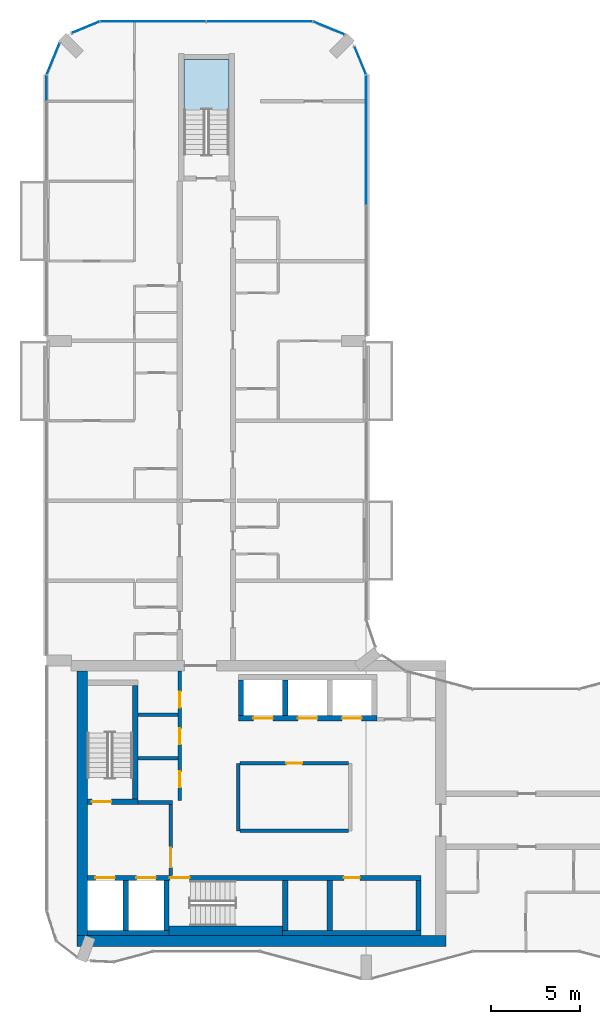
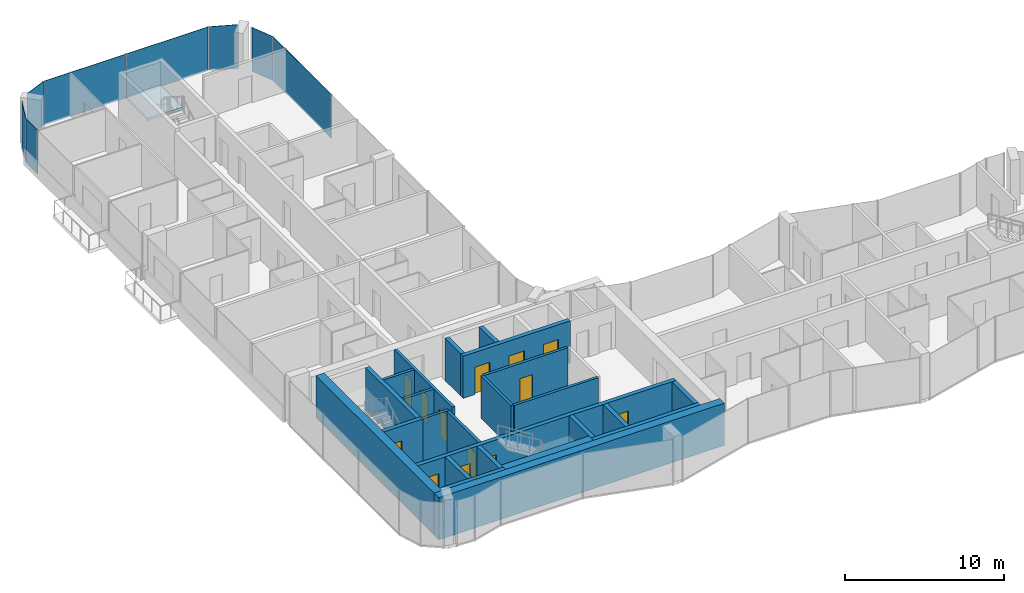
# One storey, part 9 of 15: 24 walls, 13 doors, 8 plates, 1 slab, 13 openings, 8 elements without a shape of their own.
"""IFC4 building model written with IfcOpenShell, lengths in metres."""

import ifcopenshell
import ifcopenshell.guid

model = None  # the IFC model being written
_history = None  # IfcOwnerHistory: only IFC2X3 demands one
_inside = {}  # id of a spatial element -> (the spatial element, [elements in it])
_under = {}  # id of a project, library or spatial element -> (it, [spatial elements below it])
_declared = {}  # id of a project -> (the project, [libraries it declares])
_typed = {}  # id of a type object -> (the type object, [elements of that type])
_made_of = {}  # id of a material, layer set ... -> (it, [elements and type objects made of it])


def new_model(schema):
    """Start an empty IFC model of exactly this schema.

    Asked for "IFC4X3", IfcOpenShell would pick the latest addendum, in which some entities
    have other attributes; the version numbers below select the first issue.
    IFC2X3 requires an IfcOwnerHistory on every rooted entity: one is made here for all.
    """
    global model, _history
    if schema == "IFC4X3":
        model = ifcopenshell.file(schema_version=(4, 3, 0, 0))
    else:
        model = ifcopenshell.file(schema=schema)
    _inside.clear()
    _under.clear()
    _declared.clear()
    _typed.clear()
    _made_of.clear()
    _history = None
    if model.schema == "IFC2X3":
        org = make("IfcOrganization", Name="unknown")
        user = make(
            "IfcPersonAndOrganization",
            ThePerson=make("IfcPerson", FamilyName="unknown"),
            TheOrganization=org,
        )
        app = make(
            "IfcApplication",
            ApplicationDeveloper=org,
            Version="unknown",
            ApplicationFullName="unknown",
            ApplicationIdentifier="unknown",
        )
        _history = make(
            "IfcOwnerHistory",
            OwningUser=user,
            OwningApplication=app,
            ChangeAction="ADDED",
            CreationDate=0,
        )
    return model


def make(cls, **values):
    """One entity of the class cls with the attributes given. An attribute that is None is left unset."""
    return model.create_entity(
        cls, **{name: value for name, value in values.items() if value is not None}
    )


def rooted(cls, **values):
    """An entity with a GlobalId (a new one), such as an element, a storey or a relation."""
    return make(cls, GlobalId=ifcopenshell.guid.new(), OwnerHistory=_history, **values)


def si_unit(unit_type, name, prefix=None):
    """IfcSIUnit, for example si_unit("LENGTHUNIT", "METRE", prefix="MILLI")."""
    return make("IfcSIUnit", UnitType=unit_type, Prefix=prefix, Name=name)


def assignment(units):
    """IfcUnitAssignment: the units of a project."""
    return None if units is None else make("IfcUnitAssignment", Units=units)


def point(xyz):
    """IfcCartesianPoint."""
    return None if xyz is None else make("IfcCartesianPoint", Coordinates=xyz)


def direction(xyz):
    """IfcDirection."""
    return None if xyz is None else make("IfcDirection", DirectionRatios=xyz)


def frame(location, z_axis=None, x_axis=None):
    """IfcAxis2Placement3D, a coordinate frame: its origin and axes. An axis left out is left unset."""
    return make(
        "IfcAxis2Placement3D",
        Location=point(location),
        Axis=direction(z_axis),
        RefDirection=direction(x_axis),
    )


def frame_2d(location, x_axis=None):
    """IfcAxis2Placement2D, a coordinate frame in the plane: its origin and x axis."""
    return make(
        "IfcAxis2Placement2D", Location=point(location), RefDirection=direction(x_axis)
    )


def origin():
    """The frame at (0, 0, 0) with its axes left unset."""
    return frame((0.0, 0.0, 0.0))


def origin_2d():
    """The frame at (0, 0) in the plane with its x axis left unset."""
    return frame_2d((0.0, 0.0))


def place(relative_to, where):
    """IfcLocalPlacement: puts the frame where relative to a parent placement (None: the world)."""
    return make(
        "IfcLocalPlacement", PlacementRelTo=relative_to, RelativePlacement=where
    )


def context(
    kind, dimensions, precision=None, world=None, true_north=None, identifier=None
):
    """IfcGeometricRepresentationContext, for example the 3D "Model" context."""
    return make(
        "IfcGeometricRepresentationContext",
        ContextIdentifier=identifier,
        ContextType=kind,
        CoordinateSpaceDimension=dimensions,
        Precision=precision,
        WorldCoordinateSystem=world,
        TrueNorth=true_north,
    )


def subcontext(parent, identifier, kind, view, scale=None):
    """IfcGeometricRepresentationSubContext, for example "Body" below "Model"."""
    return make(
        "IfcGeometricRepresentationSubContext",
        ContextIdentifier=identifier,
        ContextType=kind,
        ParentContext=parent,
        TargetScale=scale,
        TargetView=view,
    )


def project(units=None, contexts=None):
    """IfcProject with its units and contexts."""
    return rooted(
        "IfcProject",
        Name="project",
        RepresentationContexts=contexts,
        UnitsInContext=assignment(units),
    )


def spatial(cls, under=None, at=None, **own):
    """A site, building, storey or space (cls), placed at a placement, below another one or the project."""
    s = rooted(cls, ObjectPlacement=at, **own)
    if under is not None:
        _under.setdefault(under.id(), (under, []))[1].append(s)
    return s


def polyline(points):
    """IfcPolyline through the points."""
    return make("IfcPolyline", Points=[point(p) for p in points])


def profile(cls, at=None, kind="AREA", **sizes):
    """A parametric profile (cls). Its sizes go by their IFC names, for example OverallWidth=200.0."""
    return make(cls, ProfileType=kind, Position=at, **sizes)


def rectangle(**sizes):
    """IfcRectangleProfileDef."""
    return profile("IfcRectangleProfileDef", **sizes)


def outline(outer, holes=None, kind="AREA"):
    """IfcArbitraryClosedProfileDef: a profile drawn as a closed curve; with holes, ...WithVoids."""
    if holes is None:
        return make("IfcArbitraryClosedProfileDef", ProfileType=kind, OuterCurve=outer)
    return make(
        "IfcArbitraryProfileDefWithVoids",
        ProfileType=kind,
        OuterCurve=outer,
        InnerCurves=holes,
    )


def extrude(swept, where, along, depth):
    """IfcExtrudedAreaSolid: the profile swept, set in the frame where, extruded along a direction by depth."""
    return make(
        "IfcExtrudedAreaSolid",
        SweptArea=swept,
        Position=where,
        ExtrudedDirection=direction(along),
        Depth=depth,
    )


def shape(context_of_items, identifier, shape_type, items):
    """IfcShapeRepresentation: the items that make up one representation, for example the "Body"."""
    return make(
        "IfcShapeRepresentation",
        ContextOfItems=context_of_items,
        RepresentationIdentifier=identifier,
        RepresentationType=shape_type,
        Items=items,
    )


def material(Name=None, Category=None):
    """IfcMaterial."""
    return make("IfcMaterial", Name=Name, Category=Category)


def layer(
    of_material, thickness, ventilated=None, Name=None, Category=None, Priority=None
):
    """IfcMaterialLayer: one layer of a wall or slab, of a material (None: an air gap)."""
    return make(
        "IfcMaterialLayer",
        Material=of_material,
        LayerThickness=thickness,
        IsVentilated=ventilated,
        Name=Name,
        Category=Category,
        Priority=Priority,
    )


def layer_set(layers, Name=None):
    """IfcMaterialLayerSet."""
    return make("IfcMaterialLayerSet", MaterialLayers=layers, LayerSetName=Name)


def made_of(thing, what):
    """Note that an element or type object is made of a material, layer set ...; save() writes the relation."""
    if what is not None:
        _made_of.setdefault(what.id(), (what, []))[1].append(thing)
    return thing


def type_object(cls, material=None, **own):
    """A type object (cls), such as IfcWallType, which elements share."""
    return made_of(rooted(cls, **own), material)


def element(
    cls,
    number,
    at=None,
    inside=None,
    cuts=None,
    type_object=None,
    material=None,
    context=None,
    identifier="Body",
    shape_type=None,
    held_by="IfcProductDefinitionShape",
    body=None,
    shapes=None,
    **own,
):
    """One element of the class cls, such as IfcWall. Its Tag is "e" and its number.

    at: its placement. inside: the storey or other place that contains it. cuts: it is an
    opening in that element (IfcRelVoidsElement). A single representation is given by context,
    identifier, shape_type and body (its items); several are given by shapes. held_by: the class
    of the entity that holds the representations. save() writes the other relations.
    """
    e = rooted(cls, Tag="e%d" % number, ObjectPlacement=at, **own)
    if body is not None:
        shapes = [shape(context, identifier, shape_type, body)]
    if shapes is not None:
        e.Representation = make(held_by, Representations=shapes)
    if inside is not None:
        _inside.setdefault(inside.id(), (inside, []))[1].append(e)
    if cuts is not None:
        rooted(
            "IfcRelVoidsElement", RelatingBuildingElement=cuts, RelatedOpeningElement=e
        )
    if type_object is not None:
        _typed.setdefault(type_object.id(), (type_object, []))[1].append(e)
    return made_of(e, material)


def fill(opening, filler):
    """IfcRelFillsElement: the door or window that sits in an opening."""
    return rooted(
        "IfcRelFillsElement",
        RelatingOpeningElement=opening,
        RelatedBuildingElement=filler,
    )


def aggregate(whole, parts):
    """IfcRelAggregates: a whole, such as a stair, and the parts it consists of."""
    return rooted("IfcRelAggregates", RelatingObject=whole, RelatedObjects=parts)


def save(model, path):
    """Write the relations noted so far, then the file.

    IfcRelAggregates (storeys below a building ...), IfcRelContainedInSpatialStructure (elements
    in a storey), IfcRelDefinesByType, IfcRelAssociatesMaterial and IfcRelDeclares: one each for
    every whole, place, type object, material and project.
    """
    for whole, parts in _under.values():
        aggregate(whole, parts)
    for where, things in _inside.values():
        rooted(
            "IfcRelContainedInSpatialStructure",
            RelatedElements=things,
            RelatingStructure=where,
        )
    for kind, things in _typed.values():
        rooted("IfcRelDefinesByType", RelatedObjects=things, RelatingType=kind)
    for what, things in _made_of.values():
        rooted("IfcRelAssociatesMaterial", RelatedObjects=things, RelatingMaterial=what)
    for by, libraries in _declared.values():
        rooted("IfcRelDeclares", RelatingContext=by, RelatedDefinitions=libraries)
    model.write(path)


model = new_model("IFC4")

# Units and contexts
model_context = context("Model", 3, precision=1e-05, world=origin(), true_north=direction((0.0, 1.0)))
body_context = subcontext(model_context, "Body", "Model", "MODEL_VIEW")
ifc_project = project(units=[si_unit("LENGTHUNIT", "METRE"), si_unit("AREAUNIT", "SQUARE_METRE"), si_unit("VOLUMEUNIT", "CUBIC_METRE"), si_unit("PLANEANGLEUNIT", "RADIAN"), si_unit("MASSUNIT", "GRAM", prefix="KILO")], contexts=[model_context])

# Site, building, storey
site_placement = place(None, origin())
site = spatial("IfcSite", under=ifc_project, at=site_placement, CompositionType="ELEMENT")
building_placement = place(site_placement, origin())
building = spatial("IfcBuilding", under=site, at=building_placement, Name="Plateau Cross Towers", CompositionType="ELEMENT")
storey_placement = place(building_placement, frame((0.0, 0.0, 156.89990234375)))
storey = spatial("IfcBuildingStorey", under=building, at=storey_placement, Name="L40", CompositionType="ELEMENT", Elevation=156.89990234375)

# Curtain wall, plate
ifc_material_1 = material(Name="Dark low-iron glass", Category="glass")
ifc_layer_1 = layer(ifc_material_1, 0.239990234375)
ifc_layer_set_1 = layer_set([ifc_layer_1], Name="Dark low-iron glass")
curtain_wall_type = type_object("IfcCurtainWallType", Name="Curtain wall flush unitised CW-B", PredefinedType="NOTDEFINED", material=ifc_layer_set_1)
curtain_wall_1_placement = place(storey_placement, origin())
curtain_wall_1 = element("IfcCurtainWall", 1, at=curtain_wall_1_placement, inside=storey, type_object=curtain_wall_type, Name="ENV/A/L40/A180_363", PredefinedType="NOTDEFINED")
ifc_layer_2 = layer(ifc_material_1, 0.031982421875)
ifc_layer_set_2 = layer_set([ifc_layer_2], Name="Dark low-iron glass")
plate_type = type_object("IfcPlateType", Name="Glass panel 32 flush unitised", PredefinedType="CURTAIN_PANEL", material=ifc_layer_set_2)
plate_1_placement = place(storey_placement, frame((18.0, 47.324951171875, -0.1298828125), z_axis=(0.0, 0.0, 1.0), x_axis=(0.0, 1.0, 0.0)))
plate_1 = element("IfcPlate", 2, at=plate_1_placement, type_object=plate_type, Name="CW-B panel 2", PredefinedType="CURTAIN_PANEL", context=body_context, shape_type="SweptSolid", body=[
    extrude(rectangle(XDim=7.2900390625, YDim=0.031982421875, at=origin_2d()), origin(), (0.0, 0.0, 1.0), 3.3798828125),
])
aggregate(curtain_wall_1, [plate_1])

curtain_wall_2_placement = place(storey_placement, origin())
curtain_wall_2 = element("IfcCurtainWall", 3, at=curtain_wall_2_placement, inside=storey, type_object=curtain_wall_type, Name="ENV/A/L40/A180_510", PredefinedType="NOTDEFINED")
plate_2_placement = place(storey_placement, frame((17.66943359375, 51.79833984375, -0.1298828125), z_axis=(0.0, 0.0, 1.0), x_axis=(-0.382683612978, 0.923879457699, 0.0)))
plate_2 = element("IfcPlate", 4, at=plate_2_placement, type_object=plate_type, Name="CW-B panel 1", PredefinedType="CURTAIN_PANEL", context=body_context, shape_type="SweptSolid", body=[
    extrude(rectangle(XDim=1.668212890625, YDim=0.031982421875, at=origin_2d()), origin(), (0.0, 0.0, 1.0), 3.3798828125),
])
aggregate(curtain_wall_2, [plate_2])

curtain_wall_3_placement = place(storey_placement, origin())
curtain_wall_3 = element("IfcCurtainWall", 5, at=curtain_wall_3_placement, inside=storey, type_object=curtain_wall_type, Name="ENV/A/L40/A168_533", PredefinedType="NOTDEFINED")
plate_3_placement = place(storey_placement, frame((15.90283203125, 53.6259765625, -0.1298828125), z_axis=(0.0, 0.0, 1.0), x_axis=(-0.923879457699, 0.382683612978, 0.0)))
plate_3 = element("IfcPlate", 6, at=plate_3_placement, type_object=plate_type, Name="CW-B panel 1", PredefinedType="CURTAIN_PANEL", context=body_context, shape_type="SweptSolid", body=[
    extrude(rectangle(XDim=1.894775390625, YDim=0.031982421875, at=origin_2d()), origin(), (0.0, 0.0, 1.0), 3.3798828125),
])
aggregate(curtain_wall_3, [plate_3])

# Curtain wall, plates
curtain_wall_4_placement = place(storey_placement, origin())
curtain_wall_4 = element("IfcCurtainWall", 7, at=curtain_wall_4_placement, inside=storey, type_object=curtain_wall_type, Name="ENV/A/L40/A150_540", PredefinedType="NOTDEFINED")
plate_4_placement = place(storey_placement, frame((12.0, 54.0, -0.1298828125), z_axis=(0.0, 0.0, 1.0), x_axis=(-1.0, 0.0, 0.0)))
plate_4 = element("IfcPlate", 8, at=plate_4_placement, type_object=plate_type, Name="CW-B panel 1", PredefinedType="CURTAIN_PANEL", context=body_context, shape_type="SweptSolid", body=[
    extrude(rectangle(XDim=5.93994140625, YDim=0.031982421875, at=origin_2d()), origin(), (0.0, 0.0, 1.0), 3.3798828125),
])
plate_5_placement = place(storey_placement, frame((6.0, 54.0, -0.1298828125), z_axis=(0.0, 0.0, 1.0), x_axis=(-1.0, 0.0, 0.0)))
plate_5 = element("IfcPlate", 9, at=plate_5_placement, type_object=plate_type, Name="CW-B panel 2", PredefinedType="CURTAIN_PANEL", context=body_context, shape_type="SweptSolid", body=[
    extrude(rectangle(XDim=5.93994140625, YDim=0.031982421875, at=origin_2d()), origin(), (0.0, 0.0, 1.0), 3.3798828125),
])
aggregate(curtain_wall_4, [plate_4, plate_5])

# Curtain wall, plate
curtain_wall_5_placement = place(storey_placement, origin())
curtain_wall_5 = element("IfcCurtainWall", 10, at=curtain_wall_5_placement, inside=storey, type_object=curtain_wall_type, Name="ENV/A/L40/A30_540", PredefinedType="NOTDEFINED")
plate_6_placement = place(storey_placement, frame((2.20166015625, 53.66943359375, -0.1298828125), z_axis=(0.0, 0.0, 1.0), x_axis=(-0.923879457699, -0.382683612978, 0.0)))
plate_6 = element("IfcPlate", 11, at=plate_6_placement, type_object=plate_type, Name="CW-B panel 1", PredefinedType="CURTAIN_PANEL", context=body_context, shape_type="SweptSolid", body=[
    extrude(rectangle(XDim=1.668212890625, YDim=0.031982421875, at=origin_2d()), origin(), (0.0, 0.0, 1.0), 3.3798828125),
])
aggregate(curtain_wall_5, [plate_6])

curtain_wall_6_placement = place(storey_placement, origin())
curtain_wall_6 = element("IfcCurtainWall", 12, at=curtain_wall_6_placement, inside=storey, type_object=curtain_wall_type, Name="ENV/A/L40/A7_528", PredefinedType="NOTDEFINED")
plate_7_placement = place(storey_placement, frame((0.3740234375, 51.90283203125, -0.1298828125), z_axis=(0.0, 0.0, 1.0), x_axis=(-0.382683612978, -0.923879457699, 0.0)))
plate_7 = element("IfcPlate", 13, at=plate_7_placement, type_object=plate_type, Name="CW-B panel 1", PredefinedType="CURTAIN_PANEL", context=body_context, shape_type="SweptSolid", body=[
    extrude(rectangle(XDim=1.894775390625, YDim=0.031982421875, at=origin_2d()), origin(), (0.0, 0.0, 1.0), 3.3798828125),
])
aggregate(curtain_wall_6, [plate_7])

curtain_wall_7_placement = place(storey_placement, origin())
curtain_wall_7 = element("IfcCurtainWall", 14, at=curtain_wall_7_placement, inside=storey, type_object=curtain_wall_type, Name="ENV/A/L40/A0_510", PredefinedType="NOTDEFINED")
plate_8_placement = place(storey_placement, frame((0.0, 50.25, -0.1298828125), z_axis=(0.0, 0.0, 1.0), x_axis=(0.0, -1.0, 0.0)))
plate_8 = element("IfcPlate", 15, at=plate_8_placement, type_object=plate_type, Name="CW-B panel 1", PredefinedType="CURTAIN_PANEL", context=body_context, shape_type="SweptSolid", body=[
    extrude(rectangle(XDim=1.43994140625, YDim=0.031982421875, at=origin_2d()), origin(), (0.0, 0.0, 1.0), 3.3798828125),
])
aggregate(curtain_wall_7, [plate_8])

# Stair, slab
ifc_material_2 = material(Name="Concrete C40/50", Category="concrete")
stair_type = type_object("IfcStairType", Name="ST-TWR", PredefinedType="HALF_TURN_STAIR", material=ifc_material_2)
stair_placement = place(storey_placement, origin())
stair = element("IfcStair", 16, at=stair_placement, inside=storey, type_object=stair_type, Name="L40 Protected Exit Stair N", PredefinedType="HALF_TURN_STAIR")
ifc_layer_3 = layer(ifc_material_2, 0.199951171875)
ifc_layer_set_3 = layer_set([ifc_layer_3], Name="Concrete C40/50")
slab_type = type_object("IfcSlabType", Name="SL-LANDING", PredefinedType="LANDING", material=ifc_layer_set_3)
slab_placement = place(storey_placement, frame((0.0, 0.0, 1.550048828125)))
slab = element("IfcSlab", 17, at=slab_placement, type_object=slab_type, Name="ES-N landing 1", PredefinedType="LANDING", context=body_context, shape_type="SweptSolid", body=[
    extrude(outline(polyline([(10.27490234375, 49.02001953125), (10.27490234375, 51.85009765625), (7.72509765625, 51.85009765625), (7.72509765625, 49.02001953125), (10.27490234375, 49.02001953125)])), origin(), (0.0, 0.0, 1.0), 0.199951171875),
])
aggregate(stair, [slab])

# Wall, opening, door
ifc_material_3 = material(Name="Concrete block, plastered both sides", Category="concrete")
ifc_layer_4 = layer(ifc_material_3, 0.199951171875)
ifc_layer_set_4 = layer_set([ifc_layer_4], Name="Concrete block, plastered both sides")
wall_type_1 = type_object("IfcWallType", Name="Core partition 200", PredefinedType="PARTITIONING", material=ifc_layer_set_4)
wall_1_placement = place(storey_placement, frame((7.0, 5.89990234375, 0.0), z_axis=(0.0, 0.0, 1.0), x_axis=(0.0, 1.0, 0.0)))
wall_1 = element("IfcWall", 18, at=wall_1_placement, inside=storey, type_object=wall_type_1, Name="Core partition", PredefinedType="PARTITIONING", context=body_context, shape_type="SweptSolid", body=[
    extrude(rectangle(XDim=4.0, YDim=0.199951171875, at=frame_2d((2.0, 0.0))), origin(), (0.0, 0.0, 1.0), 3.25),
])
opening_1_placement = place(wall_1_placement, frame((0.449951171875, 0.0, 0.0)))
opening_1 = element("IfcOpeningElement", 19, at=opening_1_placement, cuts=wall_1, Name="Opening FFD", PredefinedType="OPENING", context=body_context, shape_type="SweptSolid", body=[
    extrude(rectangle(XDim=1.10009765625, YDim=2.10009765625, at=frame_2d((0.550048828125, 1.050048828125))), frame((0.0, 0.10986328125, 0.0), z_axis=(0.0, -1.0, 0.0), x_axis=(1.0, 0.0, 0.0)), (0.0, 0.0, 1.0), 0.219970703125),
])
ifc_material_4 = material(Name="Steel, fire-resisting leaf", Category="steel")
door_type_1 = type_object("IfcDoorType", Name="Firefighting lobby door 1100", OperationType="NOTDEFINED", PredefinedType="DOOR", material=ifc_material_4)
door_1_placement = place(opening_1_placement, origin())
door_1 = element("IfcDoor", 20, at=door_1_placement, inside=storey, type_object=door_type_1, Name="Firefighting lobby door FFD", OperationType="SINGLE_SWING_LEFT", OverallHeight=2.10009765625, OverallWidth=1.10009765625, PredefinedType="DOOR", context=body_context, shape_type="SweptSolid", body=[
    extrude(rectangle(XDim=1.10009765625, YDim=2.10009765625, at=frame_2d((0.550048828125, 1.050048828125))), frame((0.0, 0.02490234375, 0.0), z_axis=(0.0, -1.0, 0.0), x_axis=(1.0, 0.0, 0.0)), (0.0, 0.0, 1.0), 0.050048828125),
])
fill(opening_1, door_1)

# Walls
wall_2_placement = place(storey_placement, frame((5.14990234375, 10.0, 0.0), z_axis=(0.0, 0.0, 1.0), x_axis=(1.0, 0.0, 0.0)))
element("IfcWall", 21, at=wall_2_placement, inside=storey, type_object=wall_type_1, Name="Core partition", PredefinedType="PARTITIONING", context=body_context, shape_type="SweptSolid", body=[
    extrude(rectangle(XDim=1.9501953125, YDim=0.199951171875, at=frame_2d((0.97509765625, 0.0))), origin(), (0.0, 0.0, 1.0), 3.25),
])
wall_3_placement = place(storey_placement, frame((10.800048828125, 8.39990234375, 0.0), z_axis=(0.0, 0.0, 1.0), x_axis=(0.0, 1.0, 0.0)))
element("IfcWall", 22, at=wall_3_placement, inside=storey, type_object=wall_type_1, Name="Core partition", PredefinedType="PARTITIONING", context=body_context, shape_type="SweptSolid", body=[
    extrude(rectangle(XDim=3.800048828125, YDim=0.199951171875, at=frame_2d((1.89990234375, 0.0))), origin(), (0.0, 0.0, 1.0), 3.25),
])
wall_4_placement = place(storey_placement, frame((10.89990234375, 8.39990234375, 0.0), z_axis=(0.0, 0.0, 1.0), x_axis=(1.0, 0.0, 0.0)))
element("IfcWall", 23, at=wall_4_placement, inside=storey, type_object=wall_type_1, Name="Core partition", PredefinedType="PARTITIONING", context=body_context, shape_type="SweptSolid", body=[
    extrude(rectangle(XDim=6.10009765625, YDim=0.199951171875, at=frame_2d((3.050048828125, 0.0))), origin(), (0.0, 0.0, 1.0), 3.25),
])

# Wall, opening, door
wall_5_placement = place(storey_placement, frame((10.89990234375, 12.199951171875, 0.0), z_axis=(0.0, 0.0, 1.0), x_axis=(1.0, 0.0, 0.0)))
wall_5 = element("IfcWall", 24, at=wall_5_placement, inside=storey, type_object=wall_type_1, Name="Core partition", PredefinedType="PARTITIONING", context=body_context, shape_type="SweptSolid", body=[
    extrude(rectangle(XDim=6.10009765625, YDim=0.199951171875, at=frame_2d((3.050048828125, 0.0))), origin(), (0.0, 0.0, 1.0), 3.25),
])
opening_2_placement = place(wall_5_placement, frame((2.60009765625, 0.0, 0.0)))
opening_2 = element("IfcOpeningElement", 25, at=opening_2_placement, cuts=wall_5, Name="Opening RD1", PredefinedType="OPENING", context=body_context, shape_type="SweptSolid", body=[
    extrude(rectangle(XDim=0.89990234375, YDim=2.10009765625, at=frame_2d((0.449951171875, 1.050048828125))), frame((0.0, 0.10986328125, 0.0), z_axis=(0.0, -1.0, 0.0), x_axis=(1.0, 0.0, 0.0)), (0.0, 0.0, 1.0), 0.219970703125),
])
ifc_material_5 = material(Name="Timber, fire-resisting leaf", Category="wood")
door_type_2 = type_object("IfcDoorType", Name="Core service door 900", OperationType="NOTDEFINED", PredefinedType="DOOR", material=ifc_material_5)
door_2_placement = place(opening_2_placement, origin())
door_2 = element("IfcDoor", 26, at=door_2_placement, inside=storey, type_object=door_type_2, Name="Core service door RD1", OperationType="SINGLE_SWING_LEFT", OverallHeight=2.10009765625, OverallWidth=0.89990234375, PredefinedType="DOOR", context=body_context, shape_type="SweptSolid", body=[
    extrude(rectangle(XDim=0.89990234375, YDim=2.10009765625, at=frame_2d((0.449951171875, 1.050048828125))), frame((0.0, 0.02490234375, 0.0), z_axis=(0.0, -1.0, 0.0), x_axis=(1.0, 0.0, 0.0)), (0.0, 0.0, 1.0), 0.050048828125),
])
fill(opening_2, door_2)

# Wall, openings, doors
wall_6_placement = place(storey_placement, frame((7.5, 10.10009765625, 0.0), z_axis=(0.0, 0.0, 1.0), x_axis=(0.0, 1.0, 0.0)))
wall_6 = element("IfcWall", 27, at=wall_6_placement, inside=storey, type_object=wall_type_1, Name="Core partition", PredefinedType="PARTITIONING", context=body_context, shape_type="SweptSolid", body=[
    extrude(rectangle(XDim=7.2998046875, YDim=0.199951171875, at=frame_2d((3.64990234375, 0.0))), origin(), (0.0, 0.0, 1.0), 3.25),
])
opening_3_placement = place(wall_6_placement, frame((0.75, 0.0, 0.0)))
opening_3 = element("IfcOpeningElement", 28, at=opening_3_placement, cuts=wall_6, Name="Opening RD1", PredefinedType="OPENING", context=body_context, shape_type="SweptSolid", body=[
    extrude(rectangle(XDim=0.89990234375, YDim=2.10009765625, at=frame_2d((0.449951171875, 1.050048828125))), frame((0.0, 0.10986328125, 0.0), z_axis=(0.0, -1.0, 0.0), x_axis=(1.0, 0.0, 0.0)), (0.0, 0.0, 1.0), 0.219970703125),
])
opening_4_placement = place(wall_6_placement, frame((3.175048828125, 0.0, 0.0)))
opening_4 = element("IfcOpeningElement", 29, at=opening_4_placement, cuts=wall_6, Name="Opening RD1", PredefinedType="OPENING", context=body_context, shape_type="SweptSolid", body=[
    extrude(rectangle(XDim=0.89990234375, YDim=2.10009765625, at=frame_2d((0.449951171875, 1.050048828125))), frame((0.0, 0.10986328125, 0.0), z_axis=(0.0, -1.0, 0.0), x_axis=(1.0, 0.0, 0.0)), (0.0, 0.0, 1.0), 0.219970703125),
])
opening_5_placement = place(wall_6_placement, frame((5.25, 0.0, 0.0)))
opening_5 = element("IfcOpeningElement", 30, at=opening_5_placement, cuts=wall_6, Name="Opening RD1", PredefinedType="OPENING", context=body_context, shape_type="SweptSolid", body=[
    extrude(rectangle(XDim=0.89990234375, YDim=2.10009765625, at=frame_2d((0.449951171875, 1.050048828125))), frame((0.0, 0.10986328125, 0.0), z_axis=(0.0, -1.0, 0.0), x_axis=(1.0, 0.0, 0.0)), (0.0, 0.0, 1.0), 0.219970703125),
])
door_3_placement = place(opening_3_placement, origin())
door_3 = element("IfcDoor", 31, at=door_3_placement, inside=storey, type_object=door_type_2, Name="Core service door RD1", OperationType="SINGLE_SWING_RIGHT", OverallHeight=2.10009765625, OverallWidth=0.89990234375, PredefinedType="DOOR", context=body_context, shape_type="SweptSolid", body=[
    extrude(rectangle(XDim=0.89990234375, YDim=2.10009765625, at=frame_2d((0.449951171875, 1.050048828125))), frame((0.0, 0.02490234375, 0.0), z_axis=(0.0, -1.0, 0.0), x_axis=(1.0, 0.0, 0.0)), (0.0, 0.0, 1.0), 0.050048828125),
])
fill(opening_3, door_3)
door_4_placement = place(opening_4_placement, origin())
door_4 = element("IfcDoor", 32, at=door_4_placement, inside=storey, type_object=door_type_2, Name="Core service door RD1", OperationType="SINGLE_SWING_RIGHT", OverallHeight=2.10009765625, OverallWidth=0.89990234375, PredefinedType="DOOR", context=body_context, shape_type="SweptSolid", body=[
    extrude(rectangle(XDim=0.89990234375, YDim=2.10009765625, at=frame_2d((0.449951171875, 1.050048828125))), frame((0.0, 0.02490234375, 0.0), z_axis=(0.0, -1.0, 0.0), x_axis=(1.0, 0.0, 0.0)), (0.0, 0.0, 1.0), 0.050048828125),
])
fill(opening_4, door_4)
door_5_placement = place(opening_5_placement, origin())
door_5 = element("IfcDoor", 33, at=door_5_placement, inside=storey, type_object=door_type_2, Name="Core service door RD1", OperationType="SINGLE_SWING_RIGHT", OverallHeight=2.10009765625, OverallWidth=0.89990234375, PredefinedType="DOOR", context=body_context, shape_type="SweptSolid", body=[
    extrude(rectangle(XDim=0.89990234375, YDim=2.10009765625, at=frame_2d((0.449951171875, 1.050048828125))), frame((0.0, 0.02490234375, 0.0), z_axis=(0.0, -1.0, 0.0), x_axis=(1.0, 0.0, 0.0)), (0.0, 0.0, 1.0), 0.050048828125),
])
fill(opening_5, door_5)

# Walls
for number, where, z_axis, x_axis, name in (
    (34, (5.14990234375, 12.5, 0.0), (0.0, 0.0, 1.0), (1.0, 0.0, 0.0), "Core partition"),
    (35, (5.14990234375, 14.949951171875, 0.0), (0.0, 0.0, 1.0), (1.0, 0.0, 0.0), "Core partition"),
):
    element("IfcWall", number, at=place(storey_placement, frame(where, z_axis=z_axis, x_axis=x_axis)), inside=storey, type_object=wall_type_1, Name=name, PredefinedType="PARTITIONING", context=body_context, shape_type="SweptSolid", body=[
        extrude(rectangle(XDim=2.25, YDim=0.199951171875, at=frame_2d((1.125, 0.0))), origin(), (0.0, 0.0, 1.0), 3.25),
    ])
ifc_material_6 = material(Name="Concrete C60/75", Category="concrete")
ifc_layer_5 = layer(ifc_material_6, 0.300048828125)
ifc_layer_set_5 = layer_set([ifc_layer_5], Name="Concrete C60/75")
wall_type_2 = type_object("IfcWallType", Name="Core shaft wall 300", PredefinedType="SHEAR", material=ifc_layer_set_5)
wall_7_placement = place(storey_placement, frame((2.300048828125, 2.64990234375, 0.0), z_axis=(0.0, 0.0, 1.0), x_axis=(1.0, 0.0, 0.0)))
element("IfcWall", 36, at=wall_7_placement, inside=storey, type_object=wall_type_2, Name="A-sb-back1@L40", PredefinedType="SHEAR", context=body_context, shape_type="SweptSolid", body=[
    extrude(rectangle(XDim=4.599853515625, YDim=0.300048828125, at=frame_2d((2.2998046875, 0.0))), origin(), (0.0, 0.0, 1.0), 3.25),
])
wall_8_placement = place(storey_placement, frame((13.300048828125, 2.64990234375, 0.0), z_axis=(0.0, 0.0, 1.0), x_axis=(1.0, 0.0, 0.0)))
element("IfcWall", 37, at=wall_8_placement, inside=storey, type_object=wall_type_2, Name="A-sb-back3@L40", PredefinedType="SHEAR", context=body_context, shape_type="SweptSolid", body=[
    extrude(rectangle(XDim=7.800048828125, YDim=0.300048828125, at=frame_2d((3.89990234375, 0.0))), origin(), (0.0, 0.0, 1.0), 3.25),
])
for number, where, z_axis, x_axis, name in (
    (38, (4.449951171875, 2.800048828125, 0.0), (0.0, 0.0, 1.0), (0.0, 1.0, 0.0), "A-sb-v1@L40"),
    (39, (6.75, 2.800048828125, 0.0), (0.0, 0.0, 1.0), (0.0, 1.0, 0.0), "A-sb-v2@L40"),
    (40, (13.449951171875, 2.800048828125, 0.0), (0.0, 0.0, 1.0), (0.0, 1.0, 0.0), "A-sb-v3@L40"),
    (41, (20.949951171875, 2.800048828125, 0.0), (0.0, 0.0, 1.0), (0.0, 1.0, 0.0), "A-sb-v6@L40"),
):
    element("IfcWall", number, at=place(storey_placement, frame(where, z_axis=z_axis, x_axis=x_axis)), inside=storey, type_object=wall_type_2, Name=name, PredefinedType="SHEAR", context=body_context, shape_type="SweptSolid", body=[
        extrude(rectangle(XDim=2.800048828125, YDim=0.300048828125, at=frame_2d((1.39990234375, 0.0))), origin(), (0.0, 0.0, 1.0), 3.25),
    ])

# Wall, openings, doors
wall_9_placement = place(storey_placement, frame((2.300048828125, 5.75, 0.0), z_axis=(0.0, 0.0, 1.0), x_axis=(1.0, 0.0, 0.0)))
wall_9 = element("IfcWall", 42, at=wall_9_placement, inside=storey, type_object=wall_type_2, Name="A-sb-front@L40", PredefinedType="SHEAR", context=body_context, shape_type="SweptSolid", body=[
    extrude(rectangle(XDim=18.800048828125, YDim=0.300048828125, at=frame_2d((9.39990234375, 0.0))), origin(), (0.0, 0.0, 1.0), 3.25),
])
opening_6_placement = place(wall_9_placement, frame((4.64990234375, 0.0, 0.0)))
opening_6 = element("IfcOpeningElement", 43, at=opening_6_placement, cuts=wall_9, Name="Opening SD", PredefinedType="OPENING", context=body_context, shape_type="SweptSolid", body=[
    extrude(rectangle(XDim=1.10009765625, YDim=2.10009765625, at=frame_2d((0.550048828125, 1.050048828125))), frame((0.0, 0.159912109375, 0.0), z_axis=(0.0, -1.0, 0.0), x_axis=(1.0, 0.0, 0.0)), (0.0, 0.0, 1.0), 0.320068359375),
])
opening_7_placement = place(wall_9_placement, frame((0.449951171875, 0.0, 0.0)))
opening_7 = element("IfcOpeningElement", 44, at=opening_7_placement, cuts=wall_9, Name="Opening LD", PredefinedType="OPENING", context=body_context, shape_type="SweptSolid", body=[
    extrude(rectangle(XDim=1.10009765625, YDim=2.10009765625, at=frame_2d((0.550048828125, 1.050048828125))), frame((0.0, 0.159912109375, 0.0), z_axis=(0.0, -1.0, 0.0), x_axis=(1.0, 0.0, 0.0)), (0.0, 0.0, 1.0), 0.320068359375),
])
opening_8_placement = place(wall_9_placement, frame((2.75, 0.0, 0.0)))
opening_8 = element("IfcOpeningElement", 45, at=opening_8_placement, cuts=wall_9, Name="Opening LD", PredefinedType="OPENING", context=body_context, shape_type="SweptSolid", body=[
    extrude(rectangle(XDim=1.10009765625, YDim=2.10009765625, at=frame_2d((0.550048828125, 1.050048828125))), frame((0.0, 0.159912109375, 0.0), z_axis=(0.0, -1.0, 0.0), x_axis=(1.0, 0.0, 0.0)), (0.0, 0.0, 1.0), 0.320068359375),
])
opening_9_placement = place(wall_9_placement, frame((14.449951171875, 0.0, 0.0)))
opening_9 = element("IfcOpeningElement", 46, at=opening_9_placement, cuts=wall_9, Name="Opening RD2", PredefinedType="OPENING", context=body_context, shape_type="SweptSolid", body=[
    extrude(rectangle(XDim=0.89990234375, YDim=2.10009765625, at=frame_2d((0.449951171875, 1.050048828125))), frame((0.0, 0.159912109375, 0.0), z_axis=(0.0, -1.0, 0.0), x_axis=(1.0, 0.0, 0.0)), (0.0, 0.0, 1.0), 0.320068359375),
])
door_type_3 = type_object("IfcDoorType", Name="Core riser door 900", OperationType="NOTDEFINED", PredefinedType="DOOR", material=ifc_material_4)
door_6_placement = place(opening_9_placement, origin())
door_6 = element("IfcDoor", 47, at=door_6_placement, inside=storey, type_object=door_type_3, Name="Core riser door RD2", OperationType="SINGLE_SWING_LEFT", OverallHeight=2.10009765625, OverallWidth=0.89990234375, PredefinedType="DOOR", context=body_context, shape_type="SweptSolid", body=[
    extrude(rectangle(XDim=0.89990234375, YDim=2.10009765625, at=frame_2d((0.449951171875, 1.050048828125))), frame((0.0, 0.02490234375, 0.0), z_axis=(0.0, -1.0, 0.0), x_axis=(1.0, 0.0, 0.0)), (0.0, 0.0, 1.0), 0.050048828125),
])
fill(opening_9, door_6)
ifc_material_7 = material(Name="Stainless steel, fire-resisting sliding leaves", Category="steel")
door_type_4 = type_object("IfcDoorType", Name="Lift landing door 1100", OperationType="NOTDEFINED", PredefinedType="DOOR", material=ifc_material_7)
door_7_placement = place(opening_7_placement, origin())
door_7 = element("IfcDoor", 48, at=door_7_placement, inside=storey, type_object=door_type_4, Name="Lift landing door LD", OperationType="DOUBLE_DOOR_SLIDING", OverallHeight=2.10009765625, OverallWidth=1.10009765625, PredefinedType="DOOR", context=body_context, shape_type="SweptSolid", body=[
    extrude(rectangle(XDim=1.10009765625, YDim=2.10009765625, at=frame_2d((0.550048828125, 1.050048828125))), frame((0.0, 0.02490234375, 0.0), z_axis=(0.0, -1.0, 0.0), x_axis=(1.0, 0.0, 0.0)), (0.0, 0.0, 1.0), 0.050048828125),
])
fill(opening_7, door_7)
door_8_placement = place(opening_8_placement, origin())
door_8 = element("IfcDoor", 49, at=door_8_placement, inside=storey, type_object=door_type_4, Name="Lift landing door LD", OperationType="DOUBLE_DOOR_SLIDING", OverallHeight=2.10009765625, OverallWidth=1.10009765625, PredefinedType="DOOR", context=body_context, shape_type="SweptSolid", body=[
    extrude(rectangle(XDim=1.10009765625, YDim=2.10009765625, at=frame_2d((0.550048828125, 1.050048828125))), frame((0.0, 0.02490234375, 0.0), z_axis=(0.0, -1.0, 0.0), x_axis=(1.0, 0.0, 0.0)), (0.0, 0.0, 1.0), 0.050048828125),
])
fill(opening_8, door_8)
door_type_5 = type_object("IfcDoorType", Name="Stair door 1100", OperationType="NOTDEFINED", PredefinedType="DOOR", material=ifc_material_4)
door_9_placement = place(opening_6_placement, origin())
door_9 = element("IfcDoor", 50, at=door_9_placement, inside=storey, type_object=door_type_5, Name="Stair door SD", OperationType="SINGLE_SWING_LEFT", OverallHeight=2.10009765625, OverallWidth=1.10009765625, PredefinedType="DOOR", context=body_context, shape_type="SweptSolid", body=[
    extrude(rectangle(XDim=1.10009765625, YDim=2.10009765625, at=frame_2d((0.550048828125, 1.050048828125))), frame((0.0, 0.02490234375, 0.0), z_axis=(0.0, -1.0, 0.0), x_axis=(1.0, 0.0, 0.0)), (0.0, 0.0, 1.0), 0.050048828125),
])
fill(opening_6, door_9)

# Wall, opening, door
wall_10_placement = place(storey_placement, frame((2.300048828125, 10.050048828125, 0.0), z_axis=(0.0, 0.0, 1.0), x_axis=(1.0, 0.0, 0.0)))
wall_10 = element("IfcWall", 51, at=wall_10_placement, inside=storey, type_object=wall_type_2, Name="A-st1-S@L40", PredefinedType="SHEAR", context=body_context, shape_type="SweptSolid", body=[
    extrude(rectangle(XDim=2.849853515625, YDim=0.300048828125, at=frame_2d((1.4248046875, 0.0))), origin(), (0.0, 0.0, 1.0), 3.25),
])
opening_10_placement = place(wall_10_placement, frame((0.25, 0.0, 0.0)))
opening_10 = element("IfcOpeningElement", 52, at=opening_10_placement, cuts=wall_10, Name="Opening SD", PredefinedType="OPENING", context=body_context, shape_type="SweptSolid", body=[
    extrude(rectangle(XDim=1.10009765625, YDim=2.10009765625, at=frame_2d((0.550048828125, 1.050048828125))), frame((0.0, 0.159912109375, 0.0), z_axis=(0.0, -1.0, 0.0), x_axis=(1.0, 0.0, 0.0)), (0.0, 0.0, 1.0), 0.320068359375),
])
door_10_placement = place(opening_10_placement, origin())
door_10 = element("IfcDoor", 53, at=door_10_placement, inside=storey, type_object=door_type_5, Name="Stair door SD", OperationType="SINGLE_SWING_RIGHT", OverallHeight=2.10009765625, OverallWidth=1.10009765625, PredefinedType="DOOR", context=body_context, shape_type="SweptSolid", body=[
    extrude(rectangle(XDim=1.10009765625, YDim=2.10009765625, at=frame_2d((0.550048828125, 1.050048828125))), frame((0.0, 0.02490234375, 0.0), z_axis=(0.0, -1.0, 0.0), x_axis=(1.0, 0.0, 0.0)), (0.0, 0.0, 1.0), 0.050048828125),
])
fill(opening_10, door_10)

# Wall
wall_11_placement = place(storey_placement, frame((5.0, 10.199951171875, 0.0), z_axis=(0.0, 0.0, 1.0), x_axis=(0.0, 1.0, 0.0)))
element("IfcWall", 54, at=wall_11_placement, inside=storey, type_object=wall_type_2, Name="A-st1-E@L40", PredefinedType="SHEAR", context=body_context, shape_type="SweptSolid", body=[
    extrude(rectangle(XDim=6.400146484375, YDim=0.300048828125, at=frame_2d((3.2001953125, 0.0))), origin(), (0.0, 0.0, 1.0), 3.25),
])

# Wall, openings, doors
wall_12_placement = place(storey_placement, frame((10.800048828125, 14.75, 0.0), z_axis=(0.0, 0.0, 1.0), x_axis=(1.0, 0.0, 0.0)))
wall_12 = element("IfcWall", 55, at=wall_12_placement, inside=storey, type_object=wall_type_2, Name="A-nb-front@L40", PredefinedType="SHEAR", context=body_context, shape_type="SweptSolid", body=[
    extrude(rectangle(XDim=7.800048828125, YDim=0.300048828125, at=frame_2d((3.89990234375, 0.0))), origin(), (0.0, 0.0, 1.0), 3.25),
])
opening_11_placement = place(wall_12_placement, frame((0.85009765625, 0.0, 0.0)))
opening_11 = element("IfcOpeningElement", 56, at=opening_11_placement, cuts=wall_12, Name="Opening LD", PredefinedType="OPENING", context=body_context, shape_type="SweptSolid", body=[
    extrude(rectangle(XDim=1.10009765625, YDim=2.10009765625, at=frame_2d((0.550048828125, 1.050048828125))), frame((0.0, 0.159912109375, 0.0), z_axis=(0.0, -1.0, 0.0), x_axis=(1.0, 0.0, 0.0)), (0.0, 0.0, 1.0), 0.320068359375),
])
opening_12_placement = place(wall_12_placement, frame((3.35009765625, 0.0, 0.0)))
opening_12 = element("IfcOpeningElement", 57, at=opening_12_placement, cuts=wall_12, Name="Opening LD", PredefinedType="OPENING", context=body_context, shape_type="SweptSolid", body=[
    extrude(rectangle(XDim=1.10009765625, YDim=2.10009765625, at=frame_2d((0.550048828125, 1.050048828125))), frame((0.0, 0.159912109375, 0.0), z_axis=(0.0, -1.0, 0.0), x_axis=(1.0, 0.0, 0.0)), (0.0, 0.0, 1.0), 0.320068359375),
])
opening_13_placement = place(wall_12_placement, frame((5.85009765625, 0.0, 0.0)))
opening_13 = element("IfcOpeningElement", 58, at=opening_13_placement, cuts=wall_12, Name="Opening LD", PredefinedType="OPENING", context=body_context, shape_type="SweptSolid", body=[
    extrude(rectangle(XDim=1.10009765625, YDim=2.10009765625, at=frame_2d((0.550048828125, 1.050048828125))), frame((0.0, 0.159912109375, 0.0), z_axis=(0.0, -1.0, 0.0), x_axis=(1.0, 0.0, 0.0)), (0.0, 0.0, 1.0), 0.320068359375),
])
door_11_placement = place(opening_11_placement, origin())
door_11 = element("IfcDoor", 59, at=door_11_placement, inside=storey, type_object=door_type_4, Name="Lift landing door LD", OperationType="DOUBLE_DOOR_SLIDING", OverallHeight=2.10009765625, OverallWidth=1.10009765625, PredefinedType="DOOR", context=body_context, shape_type="SweptSolid", body=[
    extrude(rectangle(XDim=1.10009765625, YDim=2.10009765625, at=frame_2d((0.550048828125, 1.050048828125))), frame((0.0, 0.02490234375, 0.0), z_axis=(0.0, -1.0, 0.0), x_axis=(1.0, 0.0, 0.0)), (0.0, 0.0, 1.0), 0.050048828125),
])
fill(opening_11, door_11)
door_12_placement = place(opening_12_placement, origin())
door_12 = element("IfcDoor", 60, at=door_12_placement, inside=storey, type_object=door_type_4, Name="Lift landing door LD", OperationType="DOUBLE_DOOR_SLIDING", OverallHeight=2.10009765625, OverallWidth=1.10009765625, PredefinedType="DOOR", context=body_context, shape_type="SweptSolid", body=[
    extrude(rectangle(XDim=1.10009765625, YDim=2.10009765625, at=frame_2d((0.550048828125, 1.050048828125))), frame((0.0, 0.02490234375, 0.0), z_axis=(0.0, -1.0, 0.0), x_axis=(1.0, 0.0, 0.0)), (0.0, 0.0, 1.0), 0.050048828125),
])
fill(opening_12, door_12)
door_13_placement = place(opening_13_placement, origin())
door_13 = element("IfcDoor", 61, at=door_13_placement, inside=storey, type_object=door_type_4, Name="Lift landing door LD", OperationType="DOUBLE_DOOR_SLIDING", OverallHeight=2.10009765625, OverallWidth=1.10009765625, PredefinedType="DOOR", context=body_context, shape_type="SweptSolid", body=[
    extrude(rectangle(XDim=1.10009765625, YDim=2.10009765625, at=frame_2d((0.550048828125, 1.050048828125))), frame((0.0, 0.02490234375, 0.0), z_axis=(0.0, -1.0, 0.0), x_axis=(1.0, 0.0, 0.0)), (0.0, 0.0, 1.0), 0.050048828125),
])
fill(opening_13, door_13)

# Walls
for number, where, z_axis, x_axis, name in (
    (62, (10.949951171875, 14.89990234375, 0.0), (0.0, 0.0, 1.0), (0.0, 1.0, 0.0), "A-nb-v1@L40"),
    (63, (13.449951171875, 14.89990234375, 0.0), (0.0, 0.0, 1.0), (0.0, 1.0, 0.0), "A-nb-v2@L40"),
):
    element("IfcWall", number, at=place(storey_placement, frame(where, z_axis=z_axis, x_axis=x_axis)), inside=storey, type_object=wall_type_2, Name=name, PredefinedType="SHEAR", context=body_context, shape_type="SweptSolid", body=[
        extrude(rectangle(XDim=2.0, YDim=0.300048828125, at=frame_2d((1.0, 0.0))), origin(), (0.0, 0.0, 1.0), 3.25),
    ])
wall_13_placement = place(storey_placement, frame((15.949951171875, 2.800048828125, 0.0), z_axis=(0.0, 0.0, 1.0), x_axis=(0.0, 1.0, 0.0)))
element("IfcWall", 64, at=wall_13_placement, inside=storey, type_object=wall_type_2, Name="A-sb-v4@L41", PredefinedType="SHEAR", context=body_context, shape_type="SweptSolid", body=[
    extrude(rectangle(XDim=2.800048828125, YDim=0.300048828125, at=frame_2d((1.39990234375, 0.0))), origin(), (0.0, 0.0, 1.0), 3.25),
])
ifc_layer_6 = layer(ifc_material_6, 0.550048828125)
ifc_layer_set_6 = layer_set([ifc_layer_6], Name="Concrete C60/75")
wall_type_3 = type_object("IfcWallType", Name="Core shaft wall 550", PredefinedType="SHEAR", material=ifc_layer_set_6)
wall_14_placement = place(storey_placement, frame((6.89990234375, 2.77490234375, 0.0), z_axis=(0.0, 0.0, 1.0), x_axis=(1.0, 0.0, 0.0)))
element("IfcWall", 65, at=wall_14_placement, inside=storey, type_object=wall_type_3, Name="A-sb-back2@L40", PredefinedType="SHEAR", context=body_context, shape_type="SweptSolid", body=[
    extrude(rectangle(XDim=6.400146484375, YDim=0.550048828125, at=frame_2d((3.2001953125, 0.0))), origin(), (0.0, 0.0, 1.0), 3.25),
])
ifc_layer_7 = layer(ifc_material_6, 0.60009765625)
ifc_layer_set_7 = layer_set([ifc_layer_7], Name="Concrete C60/75")
wall_type_4 = type_object("IfcWallType", Name="Core shell wall 600", PredefinedType="SHEAR", material=ifc_layer_set_7)
wall_15_placement = place(storey_placement, frame((1.699951171875, 2.199951171875, 0.0), z_axis=(0.0, 0.0, 1.0), x_axis=(1.0, 0.0, 0.0)))
element("IfcWall", 66, at=wall_15_placement, inside=storey, type_object=wall_type_4, Name="A-core-S@L40", PredefinedType="SHEAR", context=body_context, shape_type="SweptSolid", body=[
    extrude(rectangle(XDim=20.800048828125, YDim=0.60009765625, at=frame_2d((10.39990234375, 0.0))), origin(), (0.0, 0.0, 1.0), 3.25),
])
wall_16_placement = place(storey_placement, frame((2.0, 2.5, 0.0), z_axis=(0.0, 0.0, 1.0), x_axis=(0.0, 1.0, 0.0)))
element("IfcWall", 67, at=wall_16_placement, inside=storey, type_object=wall_type_4, Name="A-core-W@L40", PredefinedType="SHEAR", context=body_context, shape_type="SweptSolid", body=[
    extrude(rectangle(XDim=14.89990234375, YDim=0.60009765625, at=frame_2d((7.449951171875, 0.0))), origin(), (0.0, 0.0, 1.0), 3.25),
])

save(model, "model.ifc")
